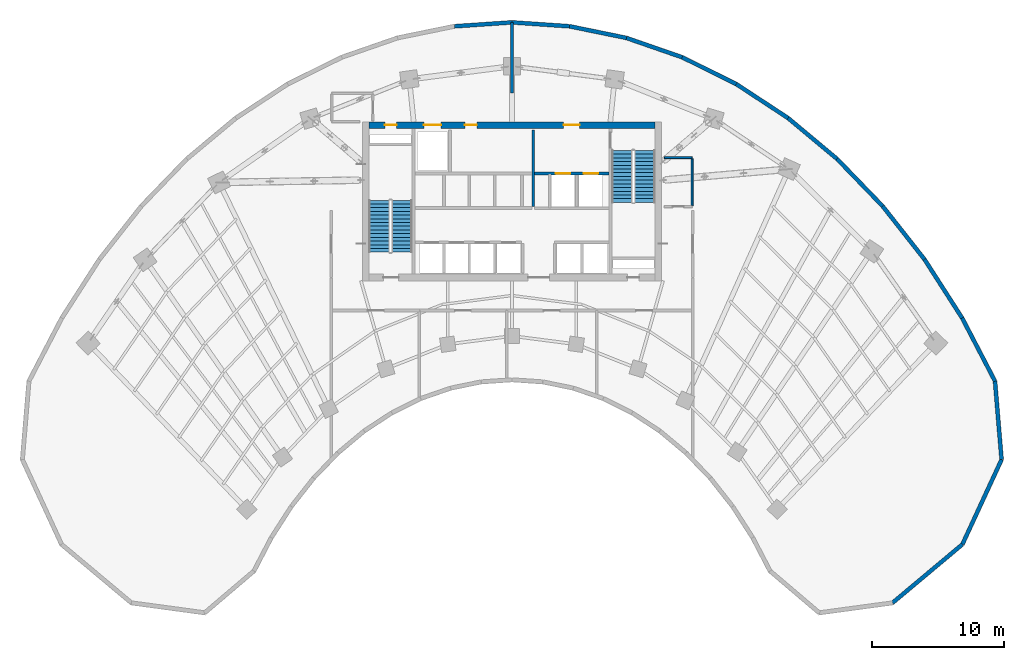
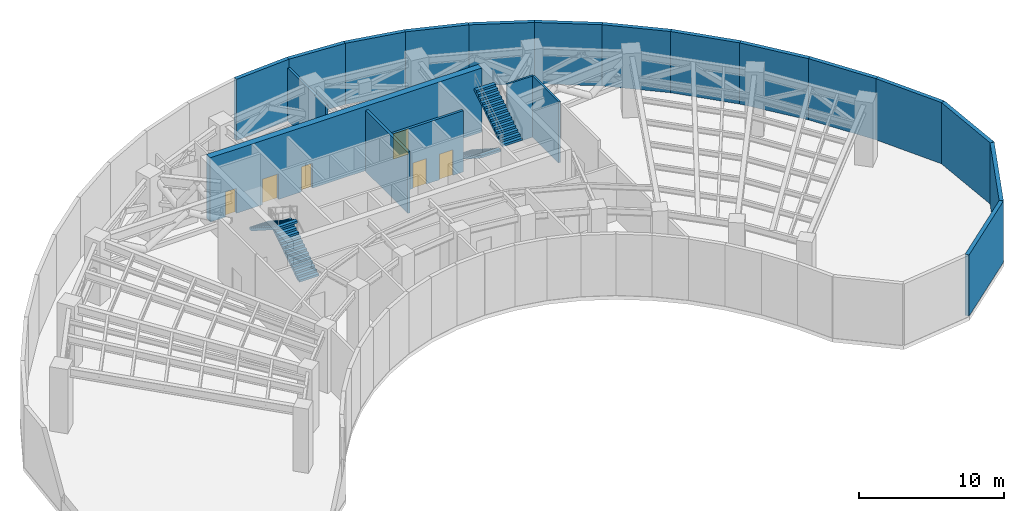
# One storey, part 9 of 10: 20 walls, 6 doors, 4 stair flights, 6 openings, 2 elements without a shape of their own.
"""IFC4 building model written with IfcOpenShell, lengths in metres."""

from ifc_helpers import new_model, si_unit, direction, frame, frame_2d, origin, place, context, subcontext, project, spatial, polyline, rectangle, outline, extrude, source, transform, mapped, material, layer, layer_set, type_object, type_shapes, element, fill, aggregate, save


model = new_model("IFC4")

# Units and contexts
model_context = context("Model", 3, precision=1e-05, world=origin(), true_north=direction((0.0, 1.0)))
body_context = subcontext(model_context, "Body", "Model", "MODEL_VIEW")
ifc_project = project(units=[si_unit("LENGTHUNIT", "METRE"), si_unit("AREAUNIT", "SQUARE_METRE"), si_unit("VOLUMEUNIT", "CUBIC_METRE"), si_unit("PLANEANGLEUNIT", "RADIAN"), si_unit("MASSUNIT", "GRAM", prefix="KILO")], contexts=[model_context])

# Site, building, storey
site_placement = place(None, origin())
site = spatial("IfcSite", under=ifc_project, at=site_placement, CompositionType="ELEMENT")
building_placement = place(site_placement, origin())
building = spatial("IfcBuilding", under=site, at=building_placement, Name="Breltana Convention Tower", CompositionType="ELEMENT")
storey_placement = place(building_placement, frame((0.0, 0.0, 85.800048828125)))
storey = spatial("IfcBuildingStorey", under=building, at=storey_placement, Name="L20", CompositionType="ELEMENT", Elevation=85.800048828125)

# Wall, openings, doors
ifc_material_1 = material(Name="Concrete C60/75", Category="concrete")
ifc_layer_1 = layer(ifc_material_1, 0.5, Name="Concrete C60/75")
ifc_layer_set_1 = layer_set([ifc_layer_1], Name="Concrete C60/75")
wall_type_1 = type_object("IfcWallType", Name="SW-CORE-500", PredefinedType="SHEAR", material=ifc_layer_set_1)
shared_shape_1 = source(origin(), body_context, "Body", "SweptSolid", [
    extrude(rectangle(XDim=21.60009765625, YDim=0.5, at=frame_2d((10.800048828125, 0.0))), origin(), (0.0, 0.0, 1.0), 5.39990234375),
])
wall_1_placement = place(storey_placement, frame((37.199951171875, 71.949951171875, 0.0), z_axis=(0.0, 0.0, 1.0), x_axis=(1.0, 0.0, 0.0)))
wall_1 = element("IfcWall", 1, at=wall_1_placement, inside=storey, type_object=wall_type_1, Name="L20 North Core Shear Wall", PredefinedType="SHEAR", context=body_context, shape_type="MappedRepresentation", body=[
    mapped(shared_shape_1, transform((0.0, 0.0, 0.0), scale=1.0)),
])
opening_1_placement = place(wall_1_placement, frame((1.199951171875, 0.0, 0.0)))
opening_1 = element("IfcOpeningElement", 2, at=opening_1_placement, cuts=wall_1, Name="Opening D-18", PredefinedType="OPENING", context=body_context, shape_type="SweptSolid", body=[
    extrude(rectangle(XDim=0.89990234375, YDim=2.10009765625, at=frame_2d((0.449951171875, 1.050048828125))), frame((0.0, 0.260009765625, 0.0), z_axis=(0.0, -1.0, 0.0), x_axis=(1.0, 0.0, 0.0)), (0.0, 0.0, 1.0), 0.52001953125),
])
opening_2_placement = place(wall_1_placement, frame((14.699951171875, 0.0, 0.0)))
opening_2 = element("IfcOpeningElement", 3, at=opening_2_placement, cuts=wall_1, Name="Opening D-09", PredefinedType="OPENING", context=body_context, shape_type="SweptSolid", body=[
    extrude(rectangle(XDim=1.199951171875, YDim=2.14990234375, at=frame_2d((0.60009765625, 1.074951171875))), frame((0.0, 0.260009765625, 0.0), z_axis=(0.0, -1.0, 0.0), x_axis=(1.0, 0.0, 0.0)), (0.0, 0.0, 1.0), 0.52001953125),
])
opening_3_placement = place(wall_1_placement, frame((4.14990234375, 0.0, 0.0)))
opening_3 = element("IfcOpeningElement", 4, at=opening_3_placement, cuts=wall_1, Name="Opening LD-01", PredefinedType="OPENING", context=body_context, shape_type="SweptSolid", body=[
    extrude(rectangle(XDim=1.300048828125, YDim=2.14990234375, at=frame_2d((0.64990234375, 1.074951171875))), frame((0.0, 0.260009765625, 0.0), z_axis=(0.0, -1.0, 0.0), x_axis=(1.0, 0.0, 0.0)), (0.0, 0.0, 1.0), 0.52001953125),
])
opening_4_placement = place(wall_1_placement, frame((7.25, 0.0, 0.0)))
opening_4 = element("IfcOpeningElement", 5, at=opening_4_placement, cuts=wall_1, Name="Opening D-18", PredefinedType="OPENING", context=body_context, shape_type="SweptSolid", body=[
    extrude(rectangle(XDim=0.89990234375, YDim=2.10009765625, at=frame_2d((0.449951171875, 1.050048828125))), frame((0.0, 0.260009765625, 0.0), z_axis=(0.0, -1.0, 0.0), x_axis=(1.0, 0.0, 0.0)), (0.0, 0.0, 1.0), 0.52001953125),
])
ifc_material_2 = material(Name="Steel Riser Fire Door", Category="steel")
door_type_1 = type_object("IfcDoorType", Name="DR-FD60-900", OperationType="NOTDEFINED", PredefinedType="DOOR", material=ifc_material_2)
shared_shape_2 = source(origin(), body_context, "Body", "SweptSolid", [
    extrude(rectangle(XDim=0.89990234375, YDim=2.10009765625, at=frame_2d((0.449951171875, 1.050048828125))), frame((0.0, 0.02490234375, 0.0), z_axis=(0.0, -1.0, 0.0), x_axis=(1.0, 0.0, 0.0)), (0.0, 0.0, 1.0), 0.050048828125),
])
type_shapes(door_type_1, [shared_shape_2])
door_1_placement = place(opening_1_placement, origin())
door_1 = element("IfcDoor", 6, at=door_1_placement, inside=storey, type_object=door_type_1, Name="L20 Core Riser Access Door D-L20-RS1", OperationType="SINGLE_SWING_LEFT", OverallHeight=2.10009765625, OverallWidth=0.89990234375, PredefinedType="DOOR", context=body_context, shape_type="MappedRepresentation", body=[
    mapped(shared_shape_2, transform((0.0, 0.0, 0.0), scale=1.0)),
])
fill(opening_1, door_1)
door_2_placement = place(opening_4_placement, origin())
door_2 = element("IfcDoor", 7, at=door_2_placement, inside=storey, type_object=door_type_1, Name="L20 interior door D-L20-CRA1", OperationType="SINGLE_SWING_RIGHT", OverallHeight=2.10009765625, OverallWidth=0.89990234375, PredefinedType="DOOR", context=body_context, shape_type="MappedRepresentation", body=[
    mapped(shared_shape_2, transform((0.0, 0.0, 0.0), scale=1.0)),
])
fill(opening_4, door_2)
ifc_material_3 = material(Name="Steel Fire Lobby Door", Category="steel")
door_type_2 = type_object("IfcDoorType", Name="DR-FD120-1200", OperationType="NOTDEFINED", PredefinedType="DOOR", material=ifc_material_3)
shared_shape_3 = source(origin(), body_context, "Body", "SweptSolid", [
    extrude(rectangle(XDim=1.199951171875, YDim=2.14990234375, at=frame_2d((0.60009765625, 1.074951171875))), frame((0.0, 0.02490234375, 0.0), z_axis=(0.0, -1.0, 0.0), x_axis=(1.0, 0.0, 0.0)), (0.0, 0.0, 1.0), 0.050048828125),
])
type_shapes(door_type_2, [shared_shape_3])
door_3_placement = place(opening_2_placement, origin())
door_3 = element("IfcDoor", 8, at=door_3_placement, inside=storey, type_object=door_type_2, Name="L20 interior door D-L20-FFL-N", OperationType="SINGLE_SWING_RIGHT", OverallHeight=2.14990234375, OverallWidth=1.199951171875, PredefinedType="DOOR", context=body_context, shape_type="MappedRepresentation", body=[
    mapped(shared_shape_3, transform((0.0, 0.0, 0.0), scale=1.0)),
])
fill(opening_2, door_3)
ifc_material_4 = material(Name="Stainless Steel Brushed", Category="steel")
door_type_3 = type_object("IfcDoorType", Name="DR-LD-SRV-1300", OperationType="DOUBLE_DOOR_SLIDING", PredefinedType="DOOR", material=ifc_material_4)
shared_shape_4 = source(origin(), body_context, "Body", "SweptSolid", [
    extrude(rectangle(XDim=1.300048828125, YDim=2.14990234375, at=frame_2d((0.64990234375, 1.074951171875))), frame((0.0, 0.02490234375, 0.0), z_axis=(0.0, -1.0, 0.0), x_axis=(1.0, 0.0, 0.0)), (0.0, 0.0, 1.0), 0.050048828125),
])
type_shapes(door_type_3, [shared_shape_4])
door_4_placement = place(opening_3_placement, origin())
door_4 = element("IfcDoor", 9, at=door_4_placement, inside=storey, type_object=door_type_3, Name="L20 Lift Landing Door D-L20-LD-SV1", OperationType="DOUBLE_DOOR_SLIDING", OverallHeight=2.14990234375, OverallWidth=1.300048828125, PredefinedType="DOOR", context=body_context, shape_type="MappedRepresentation", body=[
    mapped(shared_shape_4, transform((0.0, 0.0, 0.0), scale=1.0)),
])
fill(opening_3, door_4)

# Walls
ifc_material_5 = material(Name="Limestone Buff Insulated Wall", Category="masonry")
ifc_layer_2 = layer(ifc_material_5, 0.300048828125, Name="Limestone Buff Insulated Wall")
ifc_layer_set_2 = layer_set([ifc_layer_2], Name="Limestone Buff Insulated Wall")
wall_type_2 = type_object("IfcWallType", Name="WL-EXT-CRN-300", PredefinedType="SOLIDWALL", material=ifc_layer_set_2)
shared_shape_5 = source(origin(), body_context, "Body", "SweptSolid", [
    extrude(rectangle(XDim=5.939208984375, YDim=0.300048828125, at=frame_2d((2.9697265625, 0.0))), origin(), (0.0, 0.0, 1.0), 5.14990234375),
])
type_shapes(wall_type_2, [shared_shape_5])
wall_2_placement = place(storey_placement, frame((84.459228515625, 52.625, 0.0), z_axis=(0.0, 0.0, 1.0), x_axis=(0.083324439048, -0.996522472329, 0.0)))
element("IfcWall", 10, at=wall_2_placement, inside=storey, type_object=wall_type_2, Name="L20 mechanical limestone enclosure wall 1", PredefinedType="SOLIDWALL", context=body_context, shape_type="MappedRepresentation", body=[
    mapped(shared_shape_5, transform((0.0, 0.0, 0.0), scale=1.0)),
])
shared_shape_6 = source(origin(), body_context, "Body", "SweptSolid", [
    extrude(rectangle(XDim=7.046630859375, YDim=0.300048828125, at=frame_2d((3.5234375, 0.0))), origin(), (0.0, 0.0, 1.0), 5.14990234375),
])
wall_3_placement = place(storey_placement, frame((84.9541015625, 46.70654296875, 0.0), z_axis=(0.0, 0.0, 1.0), x_axis=(-0.419633725743, -0.907693525491, 0.0)))
element("IfcWall", 11, at=wall_3_placement, inside=storey, type_object=wall_type_2, Name="L20 mechanical limestone enclosure wall 2", PredefinedType="SOLIDWALL", context=body_context, shape_type="MappedRepresentation", body=[
    mapped(shared_shape_6, transform((0.0, 0.0, 0.0), scale=1.0)),
])
shared_shape_7 = source(origin(), body_context, "Body", "SweptSolid", [
    extrude(rectangle(XDim=6.88037109375, YDim=0.300048828125, at=frame_2d((3.440185546875, 0.0))), origin(), (0.0, 0.0, 1.0), 5.14990234375),
])
wall_4_placement = place(storey_placement, frame((81.9970703125, 40.310302734375, 0.0), z_axis=(0.0, 0.0, 1.0), x_axis=(-0.766730052601, -0.641969646041, 0.0)))
element("IfcWall", 12, at=wall_4_placement, inside=storey, type_object=wall_type_2, Name="L20 mechanical limestone enclosure wall 3", PredefinedType="SOLIDWALL", context=body_context, shape_type="MappedRepresentation", body=[
    mapped(shared_shape_7, transform((0.0, 0.0, 0.0), scale=1.0)),
])
shared_shape_8 = source(origin(), body_context, "Body", "SweptSolid", [
    extrude(rectangle(XDim=5.37158203125, YDim=0.300048828125, at=frame_2d((2.685791015625, 0.0))), origin(), (0.0, 0.0, 1.0), 5.14990234375),
])
wall_5_placement = place(storey_placement, frame((81.978759765625, 57.3896484375, 0.0), z_axis=(0.0, 0.0, 1.0), x_axis=(0.461770549399, -0.886999413589, 0.0)))
element("IfcWall", 13, at=wall_5_placement, inside=storey, type_object=wall_type_2, Name="L20 mechanical limestone enclosure wall 69", PredefinedType="SOLIDWALL", context=body_context, shape_type="MappedRepresentation", body=[
    mapped(shared_shape_8, transform((0.0, 0.0, 0.0), scale=1.0)),
])
shared_shape_9 = source(origin(), body_context, "Body", "SweptSolid", [
    extrude(rectangle(XDim=5.260009765625, YDim=0.300048828125, at=frame_2d((2.6298828125, 0.0))), origin(), (0.0, 0.0, 1.0), 5.14990234375),
])
wall_6_placement = place(storey_placement, frame((79.137451171875, 61.816162109375, 0.0), z_axis=(0.0, 0.0, 1.0), x_axis=(0.540178029276, -0.84155076893, 0.0)))
element("IfcWall", 14, at=wall_6_placement, inside=storey, type_object=wall_type_2, Name="L20 mechanical limestone enclosure wall 68", PredefinedType="SOLIDWALL", context=body_context, shape_type="MappedRepresentation", body=[
    mapped(shared_shape_9, transform((0.0, 0.0, 0.0), scale=1.0)),
])
shared_shape_10 = source(origin(), body_context, "Body", "SweptSolid", [
    extrude(rectangle(XDim=5.11181640625, YDim=0.300048828125, at=frame_2d((2.555908203125, 0.0))), origin(), (0.0, 0.0, 1.0), 5.14990234375),
])
wall_7_placement = place(storey_placement, frame((75.9775390625, 65.834228515625, 0.0), z_axis=(0.0, 0.0, 1.0), x_axis=(0.618167418604, -0.78604646337, 0.0)))
element("IfcWall", 15, at=wall_7_placement, inside=storey, type_object=wall_type_2, Name="L20 mechanical limestone enclosure wall 67", PredefinedType="SOLIDWALL", context=body_context, shape_type="MappedRepresentation", body=[
    mapped(shared_shape_10, transform((0.0, 0.0, 0.0), scale=1.0)),
])
shared_shape_11 = source(origin(), body_context, "Body", "SweptSolid", [
    extrude(rectangle(XDim=4.96044921875, YDim=0.300048828125, at=frame_2d((2.480224609375, 0.0))), origin(), (0.0, 0.0, 1.0), 5.14990234375),
])
wall_8_placement = place(storey_placement, frame((72.531982421875, 69.402587890625, 0.0), z_axis=(0.0, 0.0, 1.0), x_axis=(0.694619985705, -0.719376866086, 0.0)))
element("IfcWall", 16, at=wall_8_placement, inside=storey, type_object=wall_type_2, Name="L20 mechanical limestone enclosure wall 66", PredefinedType="SOLIDWALL", context=body_context, shape_type="MappedRepresentation", body=[
    mapped(shared_shape_11, transform((0.0, 0.0, 0.0), scale=1.0)),
])
shared_shape_12 = source(origin(), body_context, "Body", "SweptSolid", [
    extrude(rectangle(XDim=4.8125, YDim=0.300048828125, at=frame_2d((2.40625, 0.0))), origin(), (0.0, 0.0, 1.0), 5.14990234375),
])
wall_9_placement = place(storey_placement, frame((68.83642578125, 72.485107421875, 0.0), z_axis=(0.0, 0.0, 1.0), x_axis=(0.767925955959, -0.640538621915, 0.0)))
element("IfcWall", 17, at=wall_9_placement, inside=storey, type_object=wall_type_2, Name="L20 mechanical limestone enclosure wall 65", PredefinedType="SOLIDWALL", context=body_context, shape_type="MappedRepresentation", body=[
    mapped(shared_shape_12, transform((0.0, 0.0, 0.0), scale=1.0)),
])
shared_shape_13 = source(origin(), body_context, "Body", "SweptSolid", [
    extrude(rectangle(XDim=4.674560546875, YDim=0.300048828125, at=frame_2d((2.33740234375, 0.0))), origin(), (0.0, 0.0, 1.0), 5.14990234375),
])
wall_10_placement = place(storey_placement, frame((64.9287109375, 75.050537109375, 0.0), z_axis=(0.0, 0.0, 1.0), x_axis=(0.835950573043, -0.548804737069, 0.0)))
element("IfcWall", 18, at=wall_10_placement, inside=storey, type_object=wall_type_2, Name="L20 mechanical limestone enclosure wall 64", PredefinedType="SOLIDWALL", context=body_context, shape_type="MappedRepresentation", body=[
    mapped(shared_shape_13, transform((0.0, 0.0, 0.0), scale=1.0)),
])
shared_shape_14 = source(origin(), body_context, "Body", "SweptSolid", [
    extrude(rectangle(XDim=4.553466796875, YDim=0.300048828125, at=frame_2d((2.27685546875, 0.0))), origin(), (0.0, 0.0, 1.0), 5.14990234375),
])
wall_11_placement = place(storey_placement, frame((60.848876953125, 77.07275390625, 0.0), z_axis=(0.0, 0.0, 1.0), x_axis=(0.895976648497, -0.444101165669, 0.0)))
element("IfcWall", 19, at=wall_11_placement, inside=storey, type_object=wall_type_2, Name="L20 mechanical limestone enclosure wall 63", PredefinedType="SOLIDWALL", context=body_context, shape_type="MappedRepresentation", body=[
    mapped(shared_shape_14, transform((0.0, 0.0, 0.0), scale=1.0)),
])
shared_shape_15 = source(origin(), body_context, "Body", "SweptSolid", [
    extrude(rectangle(XDim=4.45556640625, YDim=0.300048828125, at=frame_2d((2.227783203125, 0.0))), origin(), (0.0, 0.0, 1.0), 5.14990234375),
])
wall_12_placement = place(storey_placement, frame((56.638916015625, 78.53173828125, 0.0), z_axis=(0.0, 0.0, 1.0), x_axis=(0.944868751989, -0.327449296097, 0.0)))
element("IfcWall", 20, at=wall_12_placement, inside=storey, type_object=wall_type_2, Name="L20 mechanical limestone enclosure wall 62", PredefinedType="SOLIDWALL", context=body_context, shape_type="MappedRepresentation", body=[
    mapped(shared_shape_15, transform((0.0, 0.0, 0.0), scale=1.0)),
])
shared_shape_16 = source(origin(), body_context, "Body", "SweptSolid", [
    extrude(rectangle(XDim=4.386962890625, YDim=0.300048828125, at=frame_2d((2.193359375, 0.0))), origin(), (0.0, 0.0, 1.0), 5.14990234375),
])
wall_13_placement = place(storey_placement, frame((52.34130859375, 79.412841796875, 0.0), z_axis=(0.0, 0.0, 1.0), x_axis=(0.979623200361, -0.200844181679, 0.0)))
element("IfcWall", 21, at=wall_13_placement, inside=storey, type_object=wall_type_2, Name="L20 mechanical limestone enclosure wall 61", PredefinedType="SOLIDWALL", context=body_context, shape_type="MappedRepresentation", body=[
    mapped(shared_shape_16, transform((0.0, 0.0, 0.0), scale=1.0)),
])
shared_shape_17 = source(origin(), body_context, "Body", "SweptSolid", [
    extrude(rectangle(XDim=4.351318359375, YDim=0.300048828125, at=frame_2d((2.17578125, 0.0))), origin(), (0.0, 0.0, 1.0), 5.14990234375),
])
for number, where, z_axis, x_axis, name in (
    (22, (43.65869140625, 79.412841796875, 0.0), (0.0, 0.0, 1.0), (0.997704243751, 0.067721798572, 0.0), "L20 mechanical limestone enclosure wall 59"),
    (23, (48.0, 79.70751953125, 0.0), (0.0, 0.0, 1.0), (0.997704243751, -0.067721798572, 0.0), "L20 mechanical limestone enclosure wall 60"),
):
    element("IfcWall", number, at=place(storey_placement, frame(where, z_axis=z_axis, x_axis=x_axis)), inside=storey, type_object=wall_type_2, Name=name, PredefinedType="SOLIDWALL", context=body_context, shape_type="MappedRepresentation", body=[
        mapped(shared_shape_17, transform((0.0, 0.0, 0.0), scale=1.0)),
    ])

# Wall, openings, doors
ifc_material_6 = material(Name="Autoclaved Aerated Concrete Block", Category="concrete")
ifc_layer_3 = layer(ifc_material_6, 0.199951171875, Name="Autoclaved Aerated Concrete Block")
ifc_layer_set_3 = layer_set([ifc_layer_3], Name="Autoclaved Aerated Concrete Block")
wall_type_3 = type_object("IfcWallType", Name="WL-SHAFT-200", PredefinedType="SOLIDWALL", material=ifc_layer_set_3)
shared_shape_18 = source(origin(), body_context, "Body", "SweptSolid", [
    extrude(rectangle(XDim=5.6201171875, YDim=0.199951171875, at=frame_2d((2.81005859375, 0.0))), origin(), (0.0, 0.0, 1.0), 5.14990234375),
])
wall_14_placement = place(storey_placement, frame((49.699951171875, 68.300048828125, 0.0), z_axis=(0.0, 0.0, 1.0), x_axis=(1.0, 0.0, 0.0)))
wall_14 = element("IfcWall", 24, at=wall_14_placement, inside=storey, type_object=wall_type_3, Name="L20 interior partition W-L20-FFL-S", PredefinedType="SOLIDWALL", context=body_context, shape_type="MappedRepresentation", body=[
    mapped(shared_shape_18, transform((0.0, 0.0, 0.0), scale=1.0)),
])
opening_5_placement = place(wall_14_placement, frame((1.60009765625, 0.0, 0.0)))
opening_5 = element("IfcOpeningElement", 25, at=opening_5_placement, cuts=wall_14, Name="Opening LD-03", PredefinedType="OPENING", context=body_context, shape_type="SweptSolid", body=[
    extrude(rectangle(XDim=1.10009765625, YDim=2.14990234375, at=frame_2d((0.550048828125, 1.074951171875))), frame((0.0, 0.10986328125, 0.0), z_axis=(0.0, -1.0, 0.0), x_axis=(1.0, 0.0, 0.0)), (0.0, 0.0, 1.0), 0.219970703125),
])
opening_6_placement = place(wall_14_placement, frame((3.699951171875, 0.0, 0.0)))
opening_6 = element("IfcOpeningElement", 26, at=opening_6_placement, cuts=wall_14, Name="Opening LD-03", PredefinedType="OPENING", context=body_context, shape_type="SweptSolid", body=[
    extrude(rectangle(XDim=1.10009765625, YDim=2.14990234375, at=frame_2d((0.550048828125, 1.074951171875))), frame((0.0, 0.10986328125, 0.0), z_axis=(0.0, -1.0, 0.0), x_axis=(1.0, 0.0, 0.0)), (0.0, 0.0, 1.0), 0.219970703125),
])
door_type_4 = type_object("IfcDoorType", Name="DR-LD-FF-1100", OperationType="DOUBLE_DOOR_SLIDING", PredefinedType="DOOR", material=ifc_material_4)
shared_shape_19 = source(origin(), body_context, "Body", "SweptSolid", [
    extrude(rectangle(XDim=1.10009765625, YDim=2.14990234375, at=frame_2d((0.550048828125, 1.074951171875))), frame((0.0, 0.02490234375, 0.0), z_axis=(0.0, -1.0, 0.0), x_axis=(1.0, 0.0, 0.0)), (0.0, 0.0, 1.0), 0.050048828125),
])
type_shapes(door_type_4, [shared_shape_19])
door_5_placement = place(opening_5_placement, origin())
door_5 = element("IfcDoor", 27, at=door_5_placement, inside=storey, type_object=door_type_4, Name="L20 Lift Landing Door D-L20-LD-FL1", OperationType="DOUBLE_DOOR_SLIDING", OverallHeight=2.14990234375, OverallWidth=1.10009765625, PredefinedType="DOOR", context=body_context, shape_type="MappedRepresentation", body=[
    mapped(shared_shape_19, transform((0.0, 0.0, 0.0), scale=1.0)),
])
fill(opening_5, door_5)
door_6_placement = place(opening_6_placement, origin())
door_6 = element("IfcDoor", 28, at=door_6_placement, inside=storey, type_object=door_type_4, Name="L20 Lift Landing Door D-L20-LD-FL2", OperationType="DOUBLE_DOOR_SLIDING", OverallHeight=2.14990234375, OverallWidth=1.10009765625, PredefinedType="DOOR", context=body_context, shape_type="MappedRepresentation", body=[
    mapped(shared_shape_19, transform((0.0, 0.0, 0.0), scale=1.0)),
])
fill(opening_6, door_6)

# Walls
shared_shape_20 = source(origin(), body_context, "Body", "SweptSolid", [
    extrude(rectangle(XDim=5.800048828125, YDim=0.199951171875, at=frame_2d((2.89990234375, 0.0))), origin(), (0.0, 0.0, 1.0), 5.14990234375),
])
wall_15_placement = place(storey_placement, frame((49.60009765625, 65.800048828125, 0.0), z_axis=(0.0, 0.0, 1.0), x_axis=(0.0, 1.0, 0.0)))
element("IfcWall", 29, at=wall_15_placement, inside=storey, type_object=wall_type_3, Name="L20 interior partition W-L20-FFL-W", PredefinedType="SOLIDWALL", context=body_context, shape_type="MappedRepresentation", body=[
    mapped(shared_shape_20, transform((0.0, 0.0, 0.0), scale=1.0)),
])
ifc_material_7 = material(Name="Gypsum Acoustic Drywall Partition")
ifc_layer_4 = layer(ifc_material_7, 0.14990234375, Name="Gypsum Acoustic Drywall Partition")
ifc_layer_set_4 = layer_set([ifc_layer_4], Name="Gypsum Acoustic Drywall Partition")
wall_type_4 = type_object("IfcWallType", Name="WL-PART-150", PredefinedType="PARTITIONING", material=ifc_layer_set_4)
shared_shape_21 = source(origin(), body_context, "Body", "SweptSolid", [
    extrude(rectangle(XDim=2.10009765625, YDim=0.14990234375, at=frame_2d((1.050048828125, 0.0))), origin(), (0.0, 0.0, 1.0), 5.14990234375),
])
wall_16_placement = place(storey_placement, frame((59.5, 69.5, 0.0), z_axis=(0.0, 0.0, 1.0), x_axis=(1.0, 0.0, 0.0)))
element("IfcWall", 30, at=wall_16_placement, inside=storey, type_object=wall_type_4, Name="L20 interior partition W-L20-CRSE-N", PredefinedType="PARTITIONING", context=body_context, shape_type="MappedRepresentation", body=[
    mapped(shared_shape_21, transform((0.0, 0.0, 0.0), scale=1.0)),
])
shared_shape_22 = source(origin(), body_context, "Body", "SweptSolid", [
    extrude(rectangle(XDim=3.565185546875, YDim=0.14990234375, at=frame_2d((1.78271484375, 0.0))), origin(), (0.0, 0.0, 1.0), 5.14990234375),
])
wall_17_placement = place(storey_placement, frame((61.60009765625, 65.867431640625, 0.0), z_axis=(0.0, 0.0, 1.0), x_axis=(0.0, 1.0, 0.0)))
element("IfcWall", 31, at=wall_17_placement, inside=storey, type_object=wall_type_4, Name="L20 interior partition W-L20-CRSE-E", PredefinedType="PARTITIONING", context=body_context, shape_type="MappedRepresentation", body=[
    mapped(shared_shape_22, transform((0.0, 0.0, 0.0), scale=1.0)),
])
shared_shape_23 = source(origin(), body_context, "Body", "SweptSolid", [
    extrude(rectangle(XDim=5.317626953125, YDim=0.199951171875, at=frame_2d((2.65869140625, 0.0))), origin(), (0.0, 0.0, 1.0), 4.433837890625),
])
wall_18_placement = place(storey_placement, frame((48.0, 74.3798828125, 0.0), z_axis=(0.0, 0.0, 1.0), x_axis=(0.0, 1.0, 0.0)))
element("IfcWall", 32, at=wall_18_placement, inside=storey, type_object=wall_type_3, Name="L20 interior partition W-L20-REFC-N", PredefinedType="SOLIDWALL", context=body_context, shape_type="MappedRepresentation", body=[
    mapped(shared_shape_23, transform((0.0, 0.0, 0.0), scale=1.0)),
])

# Stair, stair flights
ifc_material_8 = material(Name="Concrete C40/50", Category="concrete")
stair_type = type_object("IfcStairType", Name="ST-DOG-1560-R180", PredefinedType="HALF_TURN_STAIR", material=ifc_material_8)
stair_1_placement = place(storey_placement, origin())
stair_1 = element("IfcStair", 33, at=stair_1_placement, inside=storey, type_object=stair_type, Name="L20 Protected Core Exit Stair ST-1", PredefinedType="HALF_TURN_STAIR")
stair_flight_type = type_object("IfcStairFlightType", Name="STF-DOG-1560-N15-R180", PredefinedType="STRAIGHT", material=ifc_material_8)
stair_flight_1_placement = place(storey_placement, frame((39.68994140625, 62.360107421875, 0.0), z_axis=(0.0, 0.0, 1.0), x_axis=(0.0, 1.0, 0.0)))
stair_flight_1 = element("IfcStairFlight", 34, at=stair_flight_1_placement, type_object=stair_flight_type, Name="ST-1 flight 1", NumberOfRisers=15, NumberOfTreads=14, PredefinedType="STRAIGHT", RiserHeight=0.18, TreadLength=0.28, context=body_context, shape_type="SweptSolid", body=[
    extrude(outline(polyline([(0.0, 0.0), (0.0, 0.179931640625), (0.280029296875, 0.179931640625), (0.280029296875, 0.360107421875), (0.56005859375, 0.360107421875), (0.56005859375, 0.5400390625), (0.840087890625, 0.5400390625), (0.840087890625, 0.719970703125), (1.1201171875, 0.719970703125), (1.1201171875, 0.89990234375), (1.39990234375, 0.89990234375), (1.39990234375, 1.080078125), (1.679931640625, 1.080078125), (1.679931640625, 1.260009765625), (1.9599609375, 1.260009765625), (1.9599609375, 1.43994140625), (2.239990234375, 1.43994140625), (2.239990234375, 1.6201171875), (2.52001953125, 1.6201171875), (2.52001953125, 1.800048828125), (2.800048828125, 1.800048828125), (2.800048828125, 1.97998046875), (3.080078125, 1.97998046875), (3.080078125, 2.159912109375), (3.360107421875, 2.159912109375), (3.360107421875, 2.340087890625), (3.639892578125, 2.340087890625), (3.639892578125, 2.52001953125), (3.919921875, 2.52001953125), (3.919921875, 2.699951171875), (3.919921875, 2.341796875), (0.277099609375, 0.0), (0.0, 0.0)])), frame((0.0, 0.780029296875, 0.0), z_axis=(0.0, -1.0, 0.0), x_axis=(1.0, 0.0, 0.0)), (0.0, 0.0, 1.0), 1.56005859375),
])
stair_flight_2_placement = place(storey_placement, frame((37.97998046875, 66.280029296875, 2.699951171875), z_axis=(0.0, 0.0, 1.0), x_axis=(0.0, -1.0, 0.0)))
stair_flight_2 = element("IfcStairFlight", 35, at=stair_flight_2_placement, type_object=stair_flight_type, Name="ST-1 flight 2", NumberOfRisers=15, NumberOfTreads=14, PredefinedType="STRAIGHT", RiserHeight=0.18, TreadLength=0.28, context=body_context, shape_type="SweptSolid", body=[
    extrude(outline(polyline([(0.0, 0.0), (0.0, 0.179931640625), (0.280029296875, 0.179931640625), (0.280029296875, 0.360107421875), (0.56005859375, 0.360107421875), (0.56005859375, 0.5400390625), (0.840087890625, 0.5400390625), (0.840087890625, 0.719970703125), (1.1201171875, 0.719970703125), (1.1201171875, 0.89990234375), (1.39990234375, 0.89990234375), (1.39990234375, 1.080078125), (1.679931640625, 1.080078125), (1.679931640625, 1.260009765625), (1.9599609375, 1.260009765625), (1.9599609375, 1.43994140625), (2.239990234375, 1.43994140625), (2.239990234375, 1.6201171875), (2.52001953125, 1.6201171875), (2.52001953125, 1.800048828125), (2.800048828125, 1.800048828125), (2.800048828125, 1.97998046875), (3.080078125, 1.97998046875), (3.080078125, 2.159912109375), (3.360107421875, 2.159912109375), (3.360107421875, 2.340087890625), (3.639892578125, 2.340087890625), (3.639892578125, 2.52001953125), (3.919921875, 2.52001953125), (3.919921875, 2.699951171875), (3.919921875, 2.341796875), (0.277099609375, 0.0), (0.0, 0.0)])), frame((0.0, 0.780029296875, 0.0), z_axis=(0.0, -1.0, 0.0), x_axis=(1.0, 0.0, 0.0)), (0.0, 0.0, 1.0), 1.56005859375),
])
aggregate(stair_1, [stair_flight_1, stair_flight_2])

stair_2_placement = place(storey_placement, origin())
stair_2 = element("IfcStair", 36, at=stair_2_placement, inside=storey, type_object=stair_type, Name="L20 Protected Core Exit Stair ST-2", PredefinedType="HALF_TURN_STAIR")
stair_flight_3_placement = place(storey_placement, frame((56.31005859375, 70.0400390625, 0.0), z_axis=(0.0, 0.0, 1.0), x_axis=(0.0, -1.0, 0.0)))
stair_flight_3 = element("IfcStairFlight", 37, at=stair_flight_3_placement, type_object=stair_flight_type, Name="ST-2 flight 1", NumberOfRisers=15, NumberOfTreads=14, PredefinedType="STRAIGHT", RiserHeight=0.18, TreadLength=0.28, context=body_context, shape_type="SweptSolid", body=[
    extrude(outline(polyline([(0.0, 0.0), (0.0, 0.179931640625), (0.280029296875, 0.179931640625), (0.280029296875, 0.360107421875), (0.56005859375, 0.360107421875), (0.56005859375, 0.5400390625), (0.840087890625, 0.5400390625), (0.840087890625, 0.719970703125), (1.1201171875, 0.719970703125), (1.1201171875, 0.89990234375), (1.39990234375, 0.89990234375), (1.39990234375, 1.080078125), (1.679931640625, 1.080078125), (1.679931640625, 1.260009765625), (1.9599609375, 1.260009765625), (1.9599609375, 1.43994140625), (2.239990234375, 1.43994140625), (2.239990234375, 1.6201171875), (2.52001953125, 1.6201171875), (2.52001953125, 1.800048828125), (2.800048828125, 1.800048828125), (2.800048828125, 1.97998046875), (3.080078125, 1.97998046875), (3.080078125, 2.159912109375), (3.360107421875, 2.159912109375), (3.360107421875, 2.340087890625), (3.639892578125, 2.340087890625), (3.639892578125, 2.52001953125), (3.919921875, 2.52001953125), (3.919921875, 2.699951171875), (3.919921875, 2.341796875), (0.277099609375, 0.0), (0.0, 0.0)])), frame((0.0, 0.780029296875, 0.0), z_axis=(0.0, -1.0, 0.0), x_axis=(1.0, 0.0, 0.0)), (0.0, 0.0, 1.0), 1.56005859375),
])
stair_flight_4_placement = place(storey_placement, frame((58.02001953125, 66.1201171875, 2.699951171875), z_axis=(0.0, 0.0, 1.0), x_axis=(0.0, 1.0, 0.0)))
stair_flight_4 = element("IfcStairFlight", 38, at=stair_flight_4_placement, type_object=stair_flight_type, Name="ST-2 flight 2", NumberOfRisers=15, NumberOfTreads=14, PredefinedType="STRAIGHT", RiserHeight=0.18, TreadLength=0.28, context=body_context, shape_type="SweptSolid", body=[
    extrude(outline(polyline([(0.0, 0.0), (0.0, 0.179931640625), (0.280029296875, 0.179931640625), (0.280029296875, 0.360107421875), (0.56005859375, 0.360107421875), (0.56005859375, 0.5400390625), (0.840087890625, 0.5400390625), (0.840087890625, 0.719970703125), (1.1201171875, 0.719970703125), (1.1201171875, 0.89990234375), (1.39990234375, 0.89990234375), (1.39990234375, 1.080078125), (1.679931640625, 1.080078125), (1.679931640625, 1.260009765625), (1.9599609375, 1.260009765625), (1.9599609375, 1.43994140625), (2.239990234375, 1.43994140625), (2.239990234375, 1.6201171875), (2.52001953125, 1.6201171875), (2.52001953125, 1.800048828125), (2.800048828125, 1.800048828125), (2.800048828125, 1.97998046875), (3.080078125, 1.97998046875), (3.080078125, 2.159912109375), (3.360107421875, 2.159912109375), (3.360107421875, 2.340087890625), (3.639892578125, 2.340087890625), (3.639892578125, 2.52001953125), (3.919921875, 2.52001953125), (3.919921875, 2.699951171875), (3.919921875, 2.341796875), (0.277099609375, 0.0), (0.0, 0.0)])), frame((0.0, 0.780029296875, 0.0), z_axis=(0.0, -1.0, 0.0), x_axis=(1.0, 0.0, 0.0)), (0.0, 0.0, 1.0), 1.56005859375),
])
aggregate(stair_2, [stair_flight_3, stair_flight_4])

save(model, "model.ifc")
